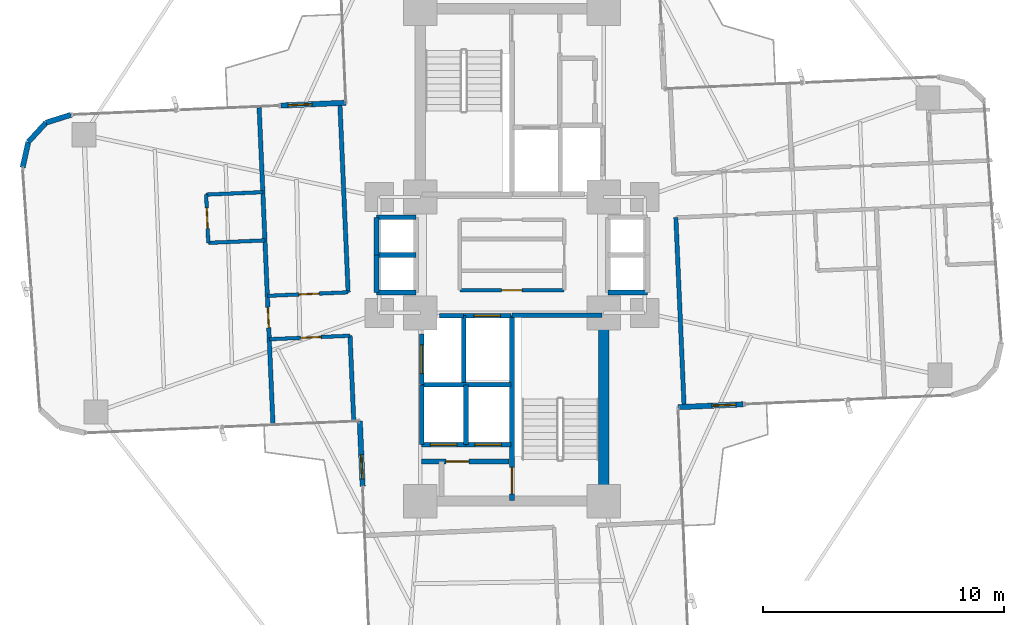
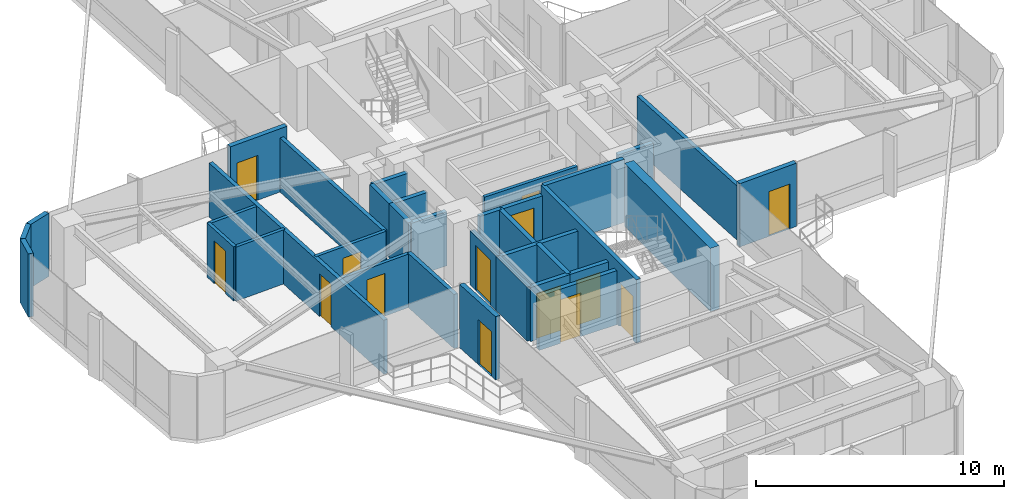
# One storey, part 23 of 26: 35 walls, 14 doors, 14 openings.
"""IFC4 building model written with IfcOpenShell, lengths in metres."""

from ifc_helpers import new_model, si_unit, direction, frame, frame_2d, origin, origin_2d, place, context, subcontext, project, spatial, rectangle, extrude, source, transform, mapped, material, layer, layer_set, type_object, element, fill, save


model = new_model("IFC4")

# Units and contexts
model_context = context("Model", 3, precision=1e-05, world=origin(), true_north=direction((0.0, 1.0)))
body_context = subcontext(model_context, "Body", "Model", "MODEL_VIEW")
ifc_project = project(units=[si_unit("LENGTHUNIT", "METRE"), si_unit("AREAUNIT", "SQUARE_METRE"), si_unit("VOLUMEUNIT", "CUBIC_METRE"), si_unit("PLANEANGLEUNIT", "RADIAN"), si_unit("MASSUNIT", "GRAM", prefix="KILO")], contexts=[model_context])

# Site, building, storey
site_placement = place(None, origin())
site = spatial("IfcSite", under=ifc_project, at=site_placement, CompositionType="ELEMENT")
building_placement = place(site_placement, origin())
building = spatial("IfcBuilding", under=site, at=building_placement, Name="Sahyath Konkavel Grand Hotel", CompositionType="ELEMENT")
storey_placement = place(building_placement, frame((0.0, 0.0, 128.199951171875)))
storey = spatial("IfcBuildingStorey", under=building, at=storey_placement, Name="L35", CompositionType="ELEMENT", Elevation=128.199951171875)

# Wall
ifc_material_1 = material(Name="Concrete C50/60", Category="concrete")
ifc_layer_1 = layer(ifc_material_1, 0.419921875)
ifc_layer_set_1 = layer_set([ifc_layer_1], Name="Concrete C50/60")
wall_type_1 = type_object("IfcWallType", Name="CWALL-420", PredefinedType="SHEAR", material=ifc_layer_set_1)
wall_1_placement = place(storey_placement, frame((3.800048828125, -9.75, 0.0), z_axis=(0.0, 0.0, 1.0), x_axis=(0.0, 1.0, 0.0)))
element("IfcWall", 1, at=wall_1_placement, inside=storey, type_object=wall_type_1, Name="L35 South Core Shear Wall E", PredefinedType="SHEAR", context=body_context, shape_type="SweptSolid", body=[
    extrude(rectangle(XDim=6.89990234375, YDim=0.419921875, at=frame_2d((3.449951171875, 0.0))), origin(), (0.0, 0.0, 1.0), 3.110107421875),
])

# Wall, opening, door
ifc_material_2 = material(Name="Warm Buff Sandstone Insulated Concrete C40/50", Category="masonry")
ifc_layer_2 = layer(ifc_material_2, 0.219970703125)
ifc_layer_set_2 = layer_set([ifc_layer_2], Name="Warm Buff Sandstone Insulated Concrete C40/50")
wall_type_2 = type_object("IfcWallType", Name="WLL-BALC-THRESH", PredefinedType="STANDARD", material=ifc_layer_set_2)
wall_2_placement = place(storey_placement, frame((6.881591796875, -6.305908203125, 0.0), z_axis=(0.0, 0.0, 1.0), x_axis=(0.999045894436, 0.043672655174, 0.0)))
wall_2 = element("IfcWall", 2, at=wall_2_placement, inside=storey, type_object=wall_type_2, Name="L35 Winter-Garden Threshold Wall 0", PredefinedType="STANDARD", context=body_context, shape_type="SweptSolid", body=[
    extrude(rectangle(XDim=2.7001953125, YDim=0.219970703125, at=frame_2d((1.35009765625, 0.0))), origin(), (0.0, 0.0, 1.0), 3.110107421875),
])
opening_1_placement = place(wall_2_placement, frame((1.39990234375, 0.0, 0.0)))
opening_1 = element("IfcOpeningElement", 3, at=opening_1_placement, cuts=wall_2, Name="Opening D-TR1", PredefinedType="OPENING", context=body_context, shape_type="SweptSolid", body=[
    extrude(rectangle(XDim=1.0, YDim=2.199951171875, at=frame_2d((0.5, 1.10009765625))), frame((0.0, 0.1201171875, 0.0), z_axis=(0.0, -1.0, 0.0), x_axis=(1.0, 0.0, 0.0)), (0.0, 0.0, 1.0), 0.239990234375),
])
ifc_material_3 = material(Name="Anodised Bronze Aluminium & Low-E Glazing", Category="aluminium")
door_type_1 = type_object("IfcDoorType", Name="DR-TERRACE-1000", OperationType="NOTDEFINED", PredefinedType="DOOR", material=ifc_material_3)
shared_shape_1 = source(origin(), body_context, "Body", "SweptSolid", [
    extrude(rectangle(XDim=1.0, YDim=0.050048828125, at=origin_2d()), origin(), (0.0, 0.0, 1.0), 2.199951171875),
])
door_1_placement = place(opening_1_placement, frame((0.5, 0.0, 0.0)))
door_1 = element("IfcDoor", 4, at=door_1_placement, inside=storey, type_object=door_type_1, Name="L35 Winter-Garden Terrace Door 0", OperationType="SINGLE_SWING_LEFT", OverallHeight=2.199951171875, OverallWidth=1.0, PredefinedType="DOOR", context=body_context, shape_type="MappedRepresentation", body=[
    mapped(shared_shape_1, transform((0.0, 0.0, 0.0), scale=1.0)),
])
fill(opening_1, door_1)

wall_3_placement = place(storey_placement, frame((-6.881591796875, 6.305908203125, 0.0), z_axis=(0.0, 0.0, 1.0), x_axis=(-0.999045894436, -0.043672655174, 0.0)))
wall_3 = element("IfcWall", 5, at=wall_3_placement, inside=storey, type_object=wall_type_2, Name="L35 Winter-Garden Threshold Wall 16", PredefinedType="STANDARD", context=body_context, shape_type="SweptSolid", body=[
    extrude(rectangle(XDim=2.7001953125, YDim=0.219970703125, at=frame_2d((1.35009765625, 0.0))), origin(), (0.0, 0.0, 1.0), 3.110107421875),
])
opening_2_placement = place(wall_3_placement, frame((1.39990234375, 0.0, 0.0)))
opening_2 = element("IfcOpeningElement", 6, at=opening_2_placement, cuts=wall_3, Name="Opening D-TR1", PredefinedType="OPENING", context=body_context, shape_type="SweptSolid", body=[
    extrude(rectangle(XDim=1.0, YDim=2.199951171875, at=frame_2d((0.5, 1.10009765625))), frame((0.0, 0.1201171875, 0.0), z_axis=(0.0, -1.0, 0.0), x_axis=(1.0, 0.0, 0.0)), (0.0, 0.0, 1.0), 0.239990234375),
])
door_2_placement = place(opening_2_placement, frame((0.5, 0.0, 0.0)))
door_2 = element("IfcDoor", 7, at=door_2_placement, inside=storey, type_object=door_type_1, Name="L35 Winter-Garden Terrace Door 16", OperationType="SINGLE_SWING_LEFT", OverallHeight=2.199951171875, OverallWidth=1.0, PredefinedType="DOOR", context=body_context, shape_type="MappedRepresentation", body=[
    mapped(shared_shape_1, transform((0.0, 0.0, 0.0), scale=1.0)),
])
fill(opening_2, door_2)

# Walls
for number, where, z_axis, x_axis, name in (
    (8, (-18.270751953125, 5.80859375, 0.0), (0.0, 0.0, 1.0), (-0.953721713582, -0.30069069331, 0.0), "L35 Rounded Corner Sandstone Pier 17"),
    (9, (-19.3076171875, 5.481689453125, 0.0), (0.0, 0.0, 1.0), (-0.675551721847, -0.737312600672, 0.0), "L35 Rounded Corner Sandstone Pier 18"),
):
    element("IfcWall", number, at=place(storey_placement, frame(where, z_axis=z_axis, x_axis=x_axis)), inside=storey, type_object=wall_type_2, Name=name, PredefinedType="STANDARD", context=body_context, shape_type="SweptSolid", body=[
        extrude(rectangle(XDim=1.087158203125, YDim=0.219970703125, at=frame_2d((0.54345703125, 0.0))), origin(), (0.0, 0.0, 1.0), 3.110107421875),
    ])
wall_4_placement = place(storey_placement, frame((-20.0419921875, 4.68017578125, 0.0), z_axis=(0.0, 0.0, 1.0), x_axis=(-0.216288323511, -0.976329535102, 0.0)))
element("IfcWall", 10, at=wall_4_placement, inside=storey, type_object=wall_type_2, Name="L35 Rounded Corner Sandstone Pier 19", PredefinedType="STANDARD", context=body_context, shape_type="SweptSolid", body=[
    extrude(rectangle(XDim=1.0869140625, YDim=0.219970703125, at=frame_2d((0.54345703125, 0.0))), origin(), (0.0, 0.0, 1.0), 3.110107421875),
])

# Wall, opening, door
wall_5_placement = place(storey_placement, frame((-6.305908203125, -6.881591796875, 0.0), z_axis=(0.0, 0.0, 1.0), x_axis=(0.043672655174, -0.999045894436, 0.0)))
wall_5 = element("IfcWall", 11, at=wall_5_placement, inside=storey, type_object=wall_type_2, Name="L35 Winter-Garden Threshold Wall 24", PredefinedType="STANDARD", context=body_context, shape_type="SweptSolid", body=[
    extrude(rectangle(XDim=2.7001953125, YDim=0.219970703125, at=frame_2d((1.35009765625, 0.0))), origin(), (0.0, 0.0, 1.0), 3.110107421875),
])
opening_3_placement = place(wall_5_placement, frame((1.39990234375, 0.0, 0.0)))
opening_3 = element("IfcOpeningElement", 12, at=opening_3_placement, cuts=wall_5, Name="Opening D-TR1", PredefinedType="OPENING", context=body_context, shape_type="SweptSolid", body=[
    extrude(rectangle(XDim=1.0, YDim=2.199951171875, at=frame_2d((0.5, 1.10009765625))), frame((0.0, 0.1201171875, 0.0), z_axis=(0.0, -1.0, 0.0), x_axis=(1.0, 0.0, 0.0)), (0.0, 0.0, 1.0), 0.239990234375),
])
door_3_placement = place(opening_3_placement, frame((0.5, 0.0, 0.0)))
door_3 = element("IfcDoor", 13, at=door_3_placement, inside=storey, type_object=door_type_1, Name="L35 Winter-Garden Terrace Door 24", OperationType="SINGLE_SWING_LEFT", OverallHeight=2.199951171875, OverallWidth=1.0, PredefinedType="DOOR", context=body_context, shape_type="MappedRepresentation", body=[
    mapped(shared_shape_1, transform((0.0, 0.0, 0.0), scale=1.0)),
])
fill(opening_3, door_3)

ifc_material_4 = material(Name="Concrete C40/50", Category="concrete")
ifc_layer_3 = layer(ifc_material_4, 0.199951171875)
ifc_layer_set_3 = layer_set([ifc_layer_3], Name="Concrete C40/50")
wall_type_3 = type_object("IfcWallType", Name="WLL-CORE-200", PredefinedType="SOLIDWALL", material=ifc_layer_set_3)
wall_6_placement = place(storey_placement, frame((0.0, -10.179931640625, 0.0), z_axis=(0.0, 0.0, 1.0), x_axis=(0.0, 1.0, 0.0)))
wall_6 = element("IfcWall", 14, at=wall_6_placement, inside=storey, type_object=wall_type_3, Name="L35 Stair ST-2 Shaft Wall W", PredefinedType="SOLIDWALL", context=body_context, shape_type="SweptSolid", body=[
    extrude(rectangle(XDim=7.679931640625, YDim=0.199951171875, at=frame_2d((3.83984375, 0.0))), origin(), (0.0, 0.0, 1.0), 3.110107421875),
])
opening_4_placement = place(wall_6_placement, frame((0.280029296875, 0.0, 0.0)))
opening_4 = element("IfcOpeningElement", 15, at=opening_4_placement, cuts=wall_6, Name="Opening D-F12B", PredefinedType="OPENING", context=body_context, shape_type="SweptSolid", body=[
    extrude(rectangle(XDim=1.10009765625, YDim=2.14990234375, at=frame_2d((0.550048828125, 1.074951171875))), frame((0.0, 0.10986328125, 0.0), z_axis=(0.0, -1.0, 0.0), x_axis=(1.0, 0.0, 0.0)), (0.0, 0.0, 1.0), 0.219970703125),
])
ifc_material_5 = material(Name="Steel E350 Smokeproof Fire Door", Category="steel")
door_type_2 = type_object("IfcDoorType", Name="DR-FD120-1100", OperationType="NOTDEFINED", PredefinedType="DOOR", material=ifc_material_5)
shared_shape_2 = source(origin(), body_context, "Body", "SweptSolid", [
    extrude(rectangle(XDim=1.10009765625, YDim=0.050048828125, at=origin_2d()), origin(), (0.0, 0.0, 1.0), 2.14990234375),
])
door_4_placement = place(opening_4_placement, frame((0.550048828125, 0.0, 0.0)))
door_4 = element("IfcDoor", 16, at=door_4_placement, inside=storey, type_object=door_type_2, Name="L35 Stair ST-2 Fire Door", OperationType="SINGLE_SWING_RIGHT", OverallHeight=2.14990234375, OverallWidth=1.10009765625, PredefinedType="DOOR", context=body_context, shape_type="MappedRepresentation", body=[
    mapped(shared_shape_2, transform((0.0, 0.0, 0.0), scale=1.0)),
])
fill(opening_4, door_4)

# Walls
wall_7_placement = place(storey_placement, frame((0.0, -2.5, 0.0), z_axis=(0.0, 0.0, 1.0), x_axis=(1.0, 0.0, 0.0)))
element("IfcWall", 17, at=wall_7_placement, inside=storey, type_object=wall_type_3, Name="L35 Stair ST-2 Shaft Wall N", PredefinedType="SOLIDWALL", context=body_context, shape_type="SweptSolid", body=[
    extrude(rectangle(XDim=3.719970703125, YDim=0.199951171875, at=frame_2d((1.85986328125, 0.0))), origin(), (0.0, 0.0, 1.0), 3.110107421875),
])
wall_8_placement = place(storey_placement, frame((-2.0, -5.280029296875, 0.0), z_axis=(0.0, 0.0, 1.0), x_axis=(0.0, 1.0, 0.0)))
element("IfcWall", 18, at=wall_8_placement, inside=storey, type_object=wall_type_3, Name="L35 Partition SH-FFL2-W", PredefinedType="SOLIDWALL", context=body_context, shape_type="SweptSolid", body=[
    extrude(rectangle(XDim=2.780029296875, YDim=0.199951171875, at=frame_2d((1.39013671875, 0.0))), origin(), (0.0, 0.0, 1.0), 2.66015625),
])

# Wall, opening, door
wall_9_placement = place(storey_placement, frame((-2.0, -2.52001953125, 0.0), z_axis=(0.0, 0.0, 1.0), x_axis=(1.0, 0.0, 0.0)))
wall_9 = element("IfcWall", 19, at=wall_9_placement, inside=storey, type_object=wall_type_3, Name="L35 Partition SH-FFL2-N", PredefinedType="SOLIDWALL", context=body_context, shape_type="SweptSolid", body=[
    extrude(rectangle(XDim=1.949951171875, YDim=0.199951171875, at=frame_2d((0.97509765625, 0.0))), origin(), (0.0, 0.0, 1.0), 2.66015625),
])
opening_5_placement = place(wall_9_placement, frame((0.419921875, 0.0, 0.0)))
opening_5 = element("IfcOpeningElement", 20, at=opening_5_placement, cuts=wall_9, Name="Opening LD-11", PredefinedType="OPENING", context=body_context, shape_type="SweptSolid", body=[
    extrude(rectangle(XDim=1.10009765625, YDim=2.199951171875, at=frame_2d((0.550048828125, 1.10009765625))), frame((0.0, 0.10986328125, 0.0), z_axis=(0.0, -1.0, 0.0), x_axis=(1.0, 0.0, 0.0)), (0.0, 0.0, 1.0), 0.219970703125),
])
ifc_material_6 = material(Name="Bronze Lift Landing Door 1100")
door_type_3 = type_object("IfcDoorType", Name="DR-LIFT-1100", OperationType="DOUBLE_DOOR_SLIDING", PredefinedType="DOOR", material=ifc_material_6)
shared_shape_3 = source(origin(), body_context, "Body", "SweptSolid", [
    extrude(rectangle(XDim=1.10009765625, YDim=0.050048828125, at=origin_2d()), origin(), (0.0, 0.0, 1.0), 2.199951171875),
])
door_5_placement = place(opening_5_placement, frame((0.550048828125, 0.0, 0.0)))
door_5 = element("IfcDoor", 21, at=door_5_placement, inside=storey, type_object=door_type_3, Name="L35 Lift FFL-2 Landing Door", OperationType="DOUBLE_DOOR_SLIDING", OverallHeight=2.199951171875, OverallWidth=1.10009765625, PredefinedType="DOOR", context=body_context, shape_type="MappedRepresentation", body=[
    mapped(shared_shape_3, transform((0.0, 0.0, 0.0), scale=1.0)),
])
fill(opening_5, door_5)

# Wall
wall_10_placement = place(storey_placement, frame((-3.0, -2.52001953125, 0.0), z_axis=(0.0, 0.0, 1.0), x_axis=(1.0, 0.0, 0.0)))
element("IfcWall", 22, at=wall_10_placement, inside=storey, type_object=wall_type_3, Name="L35 Partition SH-SVL2-N", PredefinedType="SOLIDWALL", context=body_context, shape_type="SweptSolid", body=[
    extrude(rectangle(XDim=1.0, YDim=0.199951171875, at=frame_2d((0.5, 0.0))), origin(), (0.0, 0.0, 1.0), 2.66015625),
])

# Wall, opening, door
wall_11_placement = place(storey_placement, frame((-3.739990234375, -5.360107421875, 0.0), z_axis=(0.0, 0.0, 1.0), x_axis=(0.0, 1.0, 0.0)))
wall_11 = element("IfcWall", 23, at=wall_11_placement, inside=storey, type_object=wall_type_3, Name="L35 Partition SH-SVL2-W", PredefinedType="SOLIDWALL", context=body_context, shape_type="SweptSolid", body=[
    extrude(rectangle(XDim=2.080078125, YDim=0.199951171875, at=frame_2d((1.0400390625, 0.0))), origin(), (0.0, 0.0, 1.0), 2.66015625),
])
opening_6_placement = place(wall_11_placement, frame((0.43994140625, 0.0, 0.0)))
opening_6 = element("IfcOpeningElement", 24, at=opening_6_placement, cuts=wall_11, Name="Opening LD-12", PredefinedType="OPENING", context=body_context, shape_type="SweptSolid", body=[
    extrude(rectangle(XDim=1.199951171875, YDim=2.199951171875, at=frame_2d((0.60009765625, 1.10009765625))), frame((0.0, 0.10986328125, 0.0), z_axis=(0.0, -1.0, 0.0), x_axis=(1.0, 0.0, 0.0)), (0.0, 0.0, 1.0), 0.219970703125),
])
ifc_material_7 = material(Name="Stainless Steel Lift Landing Door 1200", Category="steel")
door_type_4 = type_object("IfcDoorType", Name="DR-LIFT-1200", OperationType="DOUBLE_DOOR_SLIDING", PredefinedType="DOOR", material=ifc_material_7)
shared_shape_4 = source(origin(), body_context, "Body", "SweptSolid", [
    extrude(rectangle(XDim=1.199951171875, YDim=0.050048828125, at=origin_2d()), origin(), (0.0, 0.0, 1.0), 2.199951171875),
])
door_6_placement = place(opening_6_placement, frame((0.60009765625, 0.0, 0.0)))
door_6 = element("IfcDoor", 25, at=door_6_placement, inside=storey, type_object=door_type_4, Name="L35 Service Lift SVL-2 Landing Door", OperationType="DOUBLE_DOOR_SLIDING", OverallHeight=2.199951171875, OverallWidth=1.199951171875, PredefinedType="DOOR", context=body_context, shape_type="MappedRepresentation", body=[
    mapped(shared_shape_4, transform((0.0, 0.0, 0.0), scale=1.0)),
])
fill(opening_6, door_6)

# Wall
wall_12_placement = place(storey_placement, frame((-3.739990234375, -7.860107421875, 0.0), z_axis=(0.0, 0.0, 1.0), x_axis=(0.0, 1.0, 0.0)))
element("IfcWall", 26, at=wall_12_placement, inside=storey, type_object=wall_type_3, Name="L35 Partition SH-PL3-W", PredefinedType="SOLIDWALL", context=body_context, shape_type="SweptSolid", body=[
    extrude(rectangle(XDim=2.480224609375, YDim=0.199951171875, at=frame_2d((1.240234375, 0.0))), origin(), (0.0, 0.0, 1.0), 2.66015625),
])

# Wall, opening, door
wall_13_placement = place(storey_placement, frame((-3.739990234375, -7.860107421875, 0.0), z_axis=(0.0, 0.0, 1.0), x_axis=(1.0, 0.0, 0.0)))
wall_13 = element("IfcWall", 27, at=wall_13_placement, inside=storey, type_object=wall_type_3, Name="L35 Partition SH-PL3-S", PredefinedType="SOLIDWALL", context=body_context, shape_type="SweptSolid", body=[
    extrude(rectangle(XDim=1.840087890625, YDim=0.199951171875, at=frame_2d((0.919921875, 0.0))), origin(), (0.0, 0.0, 1.0), 2.66015625),
])
opening_7_placement = place(wall_13_placement, frame((0.360107421875, 0.0, 0.0)))
opening_7 = element("IfcOpeningElement", 28, at=opening_7_placement, cuts=wall_13, Name="Opening LD-11", PredefinedType="OPENING", context=body_context, shape_type="SweptSolid", body=[
    extrude(rectangle(XDim=1.10009765625, YDim=2.199951171875, at=frame_2d((0.550048828125, 1.10009765625))), frame((0.0, 0.10986328125, 0.0), z_axis=(0.0, -1.0, 0.0), x_axis=(1.0, 0.0, 0.0)), (0.0, 0.0, 1.0), 0.219970703125),
])
door_7_placement = place(opening_7_placement, frame((0.550048828125, 0.0, 0.0)))
door_7 = element("IfcDoor", 29, at=door_7_placement, inside=storey, type_object=door_type_3, Name="L35 Passenger Lift PL-3 Landing Door", OperationType="DOUBLE_DOOR_SLIDING", OverallHeight=2.199951171875, OverallWidth=1.10009765625, PredefinedType="DOOR", context=body_context, shape_type="MappedRepresentation", body=[
    mapped(shared_shape_3, transform((0.0, 0.0, 0.0), scale=1.0)),
])
fill(opening_7, door_7)

# Walls
wall_14_placement = place(storey_placement, frame((-3.739990234375, -5.3798828125, 0.0), z_axis=(0.0, 0.0, 1.0), x_axis=(1.0, 0.0, 0.0)))
element("IfcWall", 30, at=wall_14_placement, inside=storey, type_object=wall_type_3, Name="L35 Partition SH-PL34-N", PredefinedType="SOLIDWALL", context=body_context, shape_type="SweptSolid", body=[
    extrude(rectangle(XDim=3.68994140625, YDim=0.199951171875, at=frame_2d((1.844970703125, 0.0))), origin(), (0.0, 0.0, 1.0), 2.66015625),
])
wall_15_placement = place(storey_placement, frame((-1.89990234375, -7.860107421875, 0.0), z_axis=(0.0, 0.0, 1.0), x_axis=(0.0, 1.0, 0.0)))
element("IfcWall", 31, at=wall_15_placement, inside=storey, type_object=wall_type_3, Name="L35 Partition SH-PL34-M", PredefinedType="SOLIDWALL", context=body_context, shape_type="SweptSolid", body=[
    extrude(rectangle(XDim=2.480224609375, YDim=0.199951171875, at=frame_2d((1.240234375, 0.0))), origin(), (0.0, 0.0, 1.0), 2.66015625),
])

# Wall, opening, door
wall_16_placement = place(storey_placement, frame((-1.89990234375, -7.860107421875, 0.0), z_axis=(0.0, 0.0, 1.0), x_axis=(1.0, 0.0, 0.0)))
wall_16 = element("IfcWall", 32, at=wall_16_placement, inside=storey, type_object=wall_type_3, Name="L35 Partition SH-PL4-S", PredefinedType="SOLIDWALL", context=body_context, shape_type="SweptSolid", body=[
    extrude(rectangle(XDim=1.849853515625, YDim=0.199951171875, at=frame_2d((0.9248046875, 0.0))), origin(), (0.0, 0.0, 1.0), 2.66015625),
])
opening_8_placement = place(wall_16_placement, frame((0.360107421875, 0.0, 0.0)))
opening_8 = element("IfcOpeningElement", 33, at=opening_8_placement, cuts=wall_16, Name="Opening LD-11", PredefinedType="OPENING", context=body_context, shape_type="SweptSolid", body=[
    extrude(rectangle(XDim=1.10009765625, YDim=2.199951171875, at=frame_2d((0.550048828125, 1.10009765625))), frame((0.0, 0.10986328125, 0.0), z_axis=(0.0, -1.0, 0.0), x_axis=(1.0, 0.0, 0.0)), (0.0, 0.0, 1.0), 0.219970703125),
])
door_8_placement = place(opening_8_placement, frame((0.550048828125, 0.0, 0.0)))
door_8 = element("IfcDoor", 34, at=door_8_placement, inside=storey, type_object=door_type_3, Name="L35 Passenger Lift PL-4 Landing Door", OperationType="DOUBLE_DOOR_SLIDING", OverallHeight=2.199951171875, OverallWidth=1.10009765625, PredefinedType="DOOR", context=body_context, shape_type="MappedRepresentation", body=[
    mapped(shared_shape_3, transform((0.0, 0.0, 0.0), scale=1.0)),
])
fill(opening_8, door_8)

# Walls
for number, where, z_axis, x_axis, name in (
    (35, (3.97998046875, -1.56005859375, 0.0), (0.0, 0.0, 1.0), (1.0, 0.0, 0.0), "L35 Partition SH-PL56-S"),
    (36, (-5.6201171875, 1.56005859375, 0.0), (0.0, 0.0, 1.0), (1.0, 0.0, 0.0), "L35 Partition SH-SL12-N"),
    (37, (-5.6201171875, -1.56005859375, 0.0), (0.0, 0.0, 1.0), (1.0, 0.0, 0.0), "L35 Partition SH-SL12-S"),
    (38, (-5.6201171875, 0.0, 0.0), (0.0, 0.0, 1.0), (1.0, 0.0, 0.0), "L35 Partition SH-SL12-M"),
):
    element("IfcWall", number, at=place(storey_placement, frame(where, z_axis=z_axis, x_axis=x_axis)), inside=storey, type_object=wall_type_3, Name=name, PredefinedType="SOLIDWALL", context=body_context, shape_type="SweptSolid", body=[
        extrude(rectangle(XDim=1.64013671875, YDim=0.199951171875, at=frame_2d((0.820068359375, 0.0))), origin(), (0.0, 0.0, 1.0), 2.66015625),
    ])
for number, where, z_axis, x_axis, name in (
    (39, (-5.6201171875, 0.0, 0.0), (0.0, 0.0, 1.0), (0.0, 1.0, 0.0), "L35 Partition SH-SL1-W"),
    (40, (-5.6201171875, -1.56005859375, 0.0), (0.0, 0.0, 1.0), (0.0, 1.0, 0.0), "L35 Partition SH-SL2-W"),
):
    element("IfcWall", number, at=place(storey_placement, frame(where, z_axis=z_axis, x_axis=x_axis)), inside=storey, type_object=wall_type_3, Name=name, PredefinedType="SOLIDWALL", context=body_context, shape_type="SweptSolid", body=[
        extrude(rectangle(XDim=1.56005859375, YDim=0.199951171875, at=frame_2d((0.780029296875, 0.0))), origin(), (0.0, 0.0, 1.0), 2.66015625),
    ])

# Wall, opening, door
wall_17_placement = place(storey_placement, frame((-3.739990234375, -8.56005859375, 0.0), z_axis=(0.0, 0.0, 1.0), x_axis=(1.0, 0.0, 0.0)))
wall_17 = element("IfcWall", 41, at=wall_17_placement, inside=storey, type_object=wall_type_3, Name="L35 South FF Lobby Separation Wall", PredefinedType="SOLIDWALL", context=body_context, shape_type="SweptSolid", body=[
    extrude(rectangle(XDim=3.619873046875, YDim=0.199951171875, at=frame_2d((1.81005859375, 0.0))), origin(), (0.0, 0.0, 1.0), 2.66015625),
])
opening_9_placement = place(wall_17_placement, frame((1.0, 0.0, 0.0)))
opening_9 = element("IfcOpeningElement", 42, at=opening_9_placement, cuts=wall_17, Name="Opening D-F12C", PredefinedType="OPENING", context=body_context, shape_type="SweptSolid", body=[
    extrude(rectangle(XDim=0.949951171875, YDim=2.14990234375, at=frame_2d((0.47509765625, 1.074951171875))), frame((0.0, 0.10986328125, 0.0), z_axis=(0.0, -1.0, 0.0), x_axis=(1.0, 0.0, 0.0)), (0.0, 0.0, 1.0), 0.219970703125),
])
ifc_material_8 = material(Name="Steel E350 Plant Fire Door", Category="steel")
door_type_5 = type_object("IfcDoorType", Name="DR-FD120-950", OperationType="NOTDEFINED", PredefinedType="DOOR", material=ifc_material_8)
shared_shape_5 = source(origin(), body_context, "Body", "SweptSolid", [
    extrude(rectangle(XDim=0.949951171875, YDim=0.050048828125, at=origin_2d()), origin(), (0.0, 0.0, 1.0), 2.14990234375),
])
door_9_placement = place(opening_9_placement, frame((0.47509765625, 0.0, 0.0)))
door_9 = element("IfcDoor", 43, at=door_9_placement, inside=storey, type_object=door_type_5, Name="L35 South Firefighting Lobby Door", OperationType="SINGLE_SWING_LEFT", OverallHeight=2.14990234375, OverallWidth=0.949951171875, PredefinedType="DOOR", context=body_context, shape_type="MappedRepresentation", body=[
    mapped(shared_shape_5, transform((0.0, 0.0, 0.0), scale=1.0)),
])
fill(opening_9, door_9)

# Walls
ifc_material_9 = material(Name="Twin-Stud Acoustic Gypsum Plasterboard Partition")
ifc_layer_4 = layer(ifc_material_9, 0.179931640625)
ifc_layer_set_4 = layer_set([ifc_layer_4], Name="Twin-Stud Acoustic Gypsum Plasterboard Partition")
wall_type_4 = type_object("IfcWallType", Name="WLL-DEMISE-180", PredefinedType="PARTITIONING", material=ifc_layer_set_4)
wall_18_placement = place(storey_placement, frame((7.129150390625, -6.2451171875, 0.0), z_axis=(0.0, 0.0, 1.0), x_axis=(-0.043600217373, 0.999049058378, 0.0)))
element("IfcWall", 44, at=wall_18_placement, inside=storey, type_object=wall_type_4, Name="L35 Partition E-INR", PredefinedType="PARTITIONING", context=body_context, shape_type="SweptSolid", body=[
    extrude(rectangle(XDim=7.800048828125, YDim=0.179931640625, at=frame_2d((3.89990234375, 0.0))), origin(), (0.0, 0.0, 1.0), 2.66015625),
])
wall_19_placement = place(storey_placement, frame((-6.71044921875, -3.345947265625, 0.0), z_axis=(0.0, 0.0, 1.0), x_axis=(0.043597663116, -0.999049169846, 0.0)))
element("IfcWall", 45, at=wall_19_placement, inside=storey, type_object=wall_type_4, Name="L35 Partition W-INL", PredefinedType="PARTITIONING", context=body_context, shape_type="SweptSolid", body=[
    extrude(rectangle(XDim=3.5, YDim=0.179931640625, at=frame_2d((1.75, 0.0))), origin(), (0.0, 0.0, 1.0), 2.66015625),
])
wall_20_placement = place(storey_placement, frame((-7.129150390625, 6.2451171875, 0.0), z_axis=(0.0, 0.0, 1.0), x_axis=(0.043600217373, -0.999049058378, 0.0)))
element("IfcWall", 46, at=wall_20_placement, inside=storey, type_object=wall_type_4, Name="L35 Partition W-INR", PredefinedType="PARTITIONING", context=body_context, shape_type="SweptSolid", body=[
    extrude(rectangle(XDim=7.800048828125, YDim=0.179931640625, at=frame_2d((3.89990234375, 0.0))), origin(), (0.0, 0.0, 1.0), 2.66015625),
])

# Wall, opening, door
wall_21_placement = place(storey_placement, frame((-10.47607421875, 6.098876953125, 0.0), z_axis=(0.0, 0.0, 1.0), x_axis=(0.043628089563, -0.999047841598, 0.0)))
wall_21 = element("IfcWall", 47, at=wall_21_placement, inside=storey, type_object=wall_type_4, Name="L35 Partition W-WTIP-END", PredefinedType="PARTITIONING", context=body_context, shape_type="SweptSolid", body=[
    extrude(rectangle(XDim=13.10009765625, YDim=0.179931640625, at=frame_2d((6.550048828125, 0.0))), origin(), (0.0, 0.0, 1.0), 2.66015625),
])
opening_10_placement = place(wall_21_placement, frame((8.27490234375, 0.0, 0.0)))
opening_10 = element("IfcOpeningElement", 48, at=opening_10_placement, cuts=wall_21, Name="Opening D-F06D", PredefinedType="OPENING", context=body_context, shape_type="SweptSolid", body=[
    extrude(rectangle(XDim=0.85009765625, YDim=2.10009765625, at=frame_2d((0.425048828125, 1.050048828125))), frame((0.0, 0.10009765625, 0.0), z_axis=(0.0, -1.0, 0.0), x_axis=(1.0, 0.0, 0.0)), (0.0, 0.0, 1.0), 0.199951171875),
])
ifc_material_10 = material(Name="Fire-Rated Shaft Access Door")
door_type_6 = type_object("IfcDoorType", Name="DR-FD60-850", OperationType="NOTDEFINED", PredefinedType="DOOR", material=ifc_material_10)
shared_shape_6 = source(origin(), body_context, "Body", "SweptSolid", [
    extrude(rectangle(XDim=0.85009765625, YDim=0.050048828125, at=origin_2d()), origin(), (0.0, 0.0, 1.0), 2.10009765625),
])
door_10_placement = place(opening_10_placement, frame((0.425048828125, 0.0, 0.0)))
door_10 = element("IfcDoor", 49, at=door_10_placement, inside=storey, type_object=door_type_6, Name="L35 Door W-WTIP-ED", OperationType="SINGLE_SWING_LEFT", OverallHeight=2.10009765625, OverallWidth=0.85009765625, PredefinedType="DOOR", context=body_context, shape_type="MappedRepresentation", body=[
    mapped(shared_shape_6, transform((0.0, 0.0, 0.0), scale=1.0)),
])
fill(opening_10, door_10)

ifc_material_11 = material(Name="Fire-Rated Gypsum Plasterboard Partition")
ifc_layer_5 = layer(ifc_material_11, 0.14990234375)
ifc_layer_set_5 = layer_set([ifc_layer_5], Name="Fire-Rated Gypsum Plasterboard Partition")
wall_type_5 = type_object("IfcWallType", Name="WLL-PART-150", PredefinedType="PARTITIONING", material=ifc_layer_set_5)
wall_22_placement = place(storey_placement, frame((-2.159912109375, -1.4599609375, 0.0), z_axis=(0.0, 0.0, 1.0), x_axis=(1.0, 0.0, 0.0)))
wall_22 = element("IfcWall", 50, at=wall_22_placement, inside=storey, type_object=wall_type_5, Name="L35 Partition CC-2S", PredefinedType="PARTITIONING", context=body_context, shape_type="SweptSolid", body=[
    extrude(rectangle(XDim=4.31982421875, YDim=0.14990234375, at=frame_2d((2.159912109375, 0.0))), origin(), (0.0, 0.0, 1.0), 2.66015625),
])
opening_11_placement = place(wall_22_placement, frame((1.72998046875, 0.0, 0.0)))
opening_11 = element("IfcOpeningElement", 51, at=opening_11_placement, cuts=wall_22, Name="Opening D-F06D", PredefinedType="OPENING", context=body_context, shape_type="SweptSolid", body=[
    extrude(rectangle(XDim=0.85009765625, YDim=2.10009765625, at=frame_2d((0.425048828125, 1.050048828125))), frame((0.0, 0.0849609375, 0.0), z_axis=(0.0, -1.0, 0.0), x_axis=(1.0, 0.0, 0.0)), (0.0, 0.0, 1.0), 0.169921875),
])
door_11_placement = place(opening_11_placement, frame((0.425048828125, 0.0, 0.0)))
door_11 = element("IfcDoor", 52, at=door_11_placement, inside=storey, type_object=door_type_6, Name="L35 Door CC-D2C", OperationType="SINGLE_SWING_LEFT", OverallHeight=2.10009765625, OverallWidth=0.85009765625, PredefinedType="DOOR", context=body_context, shape_type="MappedRepresentation", body=[
    mapped(shared_shape_6, transform((0.0, 0.0, 0.0), scale=1.0)),
])
fill(opening_11, door_11)

wall_23_placement = place(storey_placement, frame((-6.71044921875, -3.345947265625, 0.0), z_axis=(0.0, 0.0, 1.0), x_axis=(-0.999049960678, -0.043579537274, 0.0)))
wall_23 = element("IfcWall", 53, at=wall_23_placement, inside=storey, type_object=wall_type_5, Name="L35 Partition W-CL", PredefinedType="PARTITIONING", context=body_context, shape_type="SweptSolid", body=[
    extrude(rectangle(XDim=3.35009765625, YDim=0.14990234375, at=frame_2d((1.675048828125, 0.0))), origin(), (0.0, 0.0, 1.0), 2.630126953125),
])
opening_12_placement = place(wall_23_placement, frame((1.199951171875, 0.0, 0.0)))
opening_12 = element("IfcOpeningElement", 54, at=opening_12_placement, cuts=wall_23, Name="Opening D-F06D", PredefinedType="OPENING", context=body_context, shape_type="SweptSolid", body=[
    extrude(rectangle(XDim=0.85009765625, YDim=2.10009765625, at=frame_2d((0.425048828125, 1.050048828125))), frame((0.0, 0.0849609375, 0.0), z_axis=(0.0, -1.0, 0.0), x_axis=(1.0, 0.0, 0.0)), (0.0, 0.0, 1.0), 0.169921875),
])
door_12_placement = place(opening_12_placement, frame((0.425048828125, 0.0, 0.0)))
door_12 = element("IfcDoor", 55, at=door_12_placement, inside=storey, type_object=door_type_6, Name="L35 Door W-WS3L-D", OperationType="SINGLE_SWING_RIGHT", OverallHeight=2.10009765625, OverallWidth=0.85009765625, PredefinedType="DOOR", context=body_context, shape_type="MappedRepresentation", body=[
    mapped(shared_shape_6, transform((0.0, 0.0, 0.0), scale=1.0)),
])
fill(opening_12, door_12)

wall_24_placement = place(storey_placement, frame((-6.7890625, -1.547607421875, 0.0), z_axis=(0.0, 0.0, 1.0), x_axis=(-0.99904982226, -0.043582710367, 0.0)))
wall_24 = element("IfcWall", 56, at=wall_24_placement, inside=storey, type_object=wall_type_5, Name="L35 Partition W-CR", PredefinedType="PARTITIONING", context=body_context, shape_type="SweptSolid", body=[
    extrude(rectangle(XDim=3.349853515625, YDim=0.14990234375, at=frame_2d((1.6748046875, 0.0))), origin(), (0.0, 0.0, 1.0), 2.66015625),
])
opening_13_placement = place(wall_24_placement, frame((1.199951171875, 0.0, 0.0)))
opening_13 = element("IfcOpeningElement", 57, at=opening_13_placement, cuts=wall_24, Name="Opening D-F06D", PredefinedType="OPENING", context=body_context, shape_type="SweptSolid", body=[
    extrude(rectangle(XDim=0.85009765625, YDim=2.10009765625, at=frame_2d((0.425048828125, 1.050048828125))), frame((0.0, 0.0849609375, 0.0), z_axis=(0.0, -1.0, 0.0), x_axis=(1.0, 0.0, 0.0)), (0.0, 0.0, 1.0), 0.169921875),
])
door_13_placement = place(opening_13_placement, frame((0.425048828125, 0.0, 0.0)))
door_13 = element("IfcDoor", 58, at=door_13_placement, inside=storey, type_object=door_type_6, Name="L35 Door W-WHK-D", OperationType="SINGLE_SWING_LEFT", OverallHeight=2.10009765625, OverallWidth=0.85009765625, PredefinedType="DOOR", context=body_context, shape_type="MappedRepresentation", body=[
    mapped(shared_shape_6, transform((0.0, 0.0, 0.0), scale=1.0)),
])
fill(opening_13, door_13)

# Walls
wall_25_placement = place(storey_placement, frame((-10.236083984375, 0.60400390625, 0.0), z_axis=(0.0, 0.0, 1.0), x_axis=(-0.999052234136, -0.043527387554, 0.0)))
element("IfcWall", 59, at=wall_25_placement, inside=storey, type_object=wall_type_5, Name="L35 Partition W-WTIP-BN", PredefinedType="PARTITIONING", context=body_context, shape_type="SweptSolid", body=[
    extrude(rectangle(XDim=2.35009765625, YDim=0.14990234375, at=frame_2d((1.175048828125, 0.0))), origin(), (0.0, 0.0, 1.0), 2.66015625),
])
wall_26_placement = place(storey_placement, frame((-10.3232421875, 2.602294921875, 0.0), z_axis=(0.0, 0.0, 1.0), x_axis=(-0.999047711264, -0.043631074008, 0.0)))
element("IfcWall", 60, at=wall_26_placement, inside=storey, type_object=wall_type_5, Name="L35 Partition W-WTIP-BS", PredefinedType="PARTITIONING", context=body_context, shape_type="SweptSolid", body=[
    extrude(rectangle(XDim=2.35009765625, YDim=0.14990234375, at=frame_2d((1.175048828125, 0.0))), origin(), (0.0, 0.0, 1.0), 2.630126953125),
])

# Wall, opening, door
wall_27_placement = place(storey_placement, frame((-12.671142578125, 2.499755859375, 0.0), z_axis=(0.0, 0.0, 1.0), x_axis=(0.043580257179, -0.999049929275, 0.0)))
wall_27 = element("IfcWall", 61, at=wall_27_placement, inside=storey, type_object=wall_type_5, Name="L35 Partition W-WTIP-BE", PredefinedType="PARTITIONING", context=body_context, shape_type="SweptSolid", body=[
    extrude(rectangle(XDim=2.0, YDim=0.14990234375, at=frame_2d((1.0, 0.0))), origin(), (0.0, 0.0, 1.0), 2.66015625),
])
opening_14_placement = place(wall_27_placement, frame((0.550048828125, 0.0, 0.0)))
opening_14 = element("IfcOpeningElement", 62, at=opening_14_placement, cuts=wall_27, Name="Opening D-BT85", PredefinedType="OPENING", context=body_context, shape_type="SweptSolid", body=[
    extrude(rectangle(XDim=0.85009765625, YDim=2.10009765625, at=frame_2d((0.425048828125, 1.050048828125))), frame((0.0, 0.0849609375, 0.0), z_axis=(0.0, -1.0, 0.0), x_axis=(1.0, 0.0, 0.0)), (0.0, 0.0, 1.0), 0.169921875),
])
ifc_material_12 = material(Name="Moisture-Resistant Teak Bathroom Door")
door_type_7 = type_object("IfcDoorType", Name="DR-BATH-850", OperationType="NOTDEFINED", PredefinedType="DOOR", material=ifc_material_12)
door_14_placement = place(opening_14_placement, frame((0.425048828125, 0.0, 0.0)))
door_14 = element("IfcDoor", 63, at=door_14_placement, inside=storey, type_object=door_type_7, Name="L35 Door W-WTIP-BD", OperationType="SINGLE_SWING_RIGHT", OverallHeight=2.10009765625, OverallWidth=0.85009765625, PredefinedType="DOOR", context=body_context, shape_type="MappedRepresentation", body=[
    mapped(shared_shape_6, transform((0.0, 0.0, 0.0), scale=1.0)),
])
fill(opening_14, door_14)

save(model, "model.ifc")
